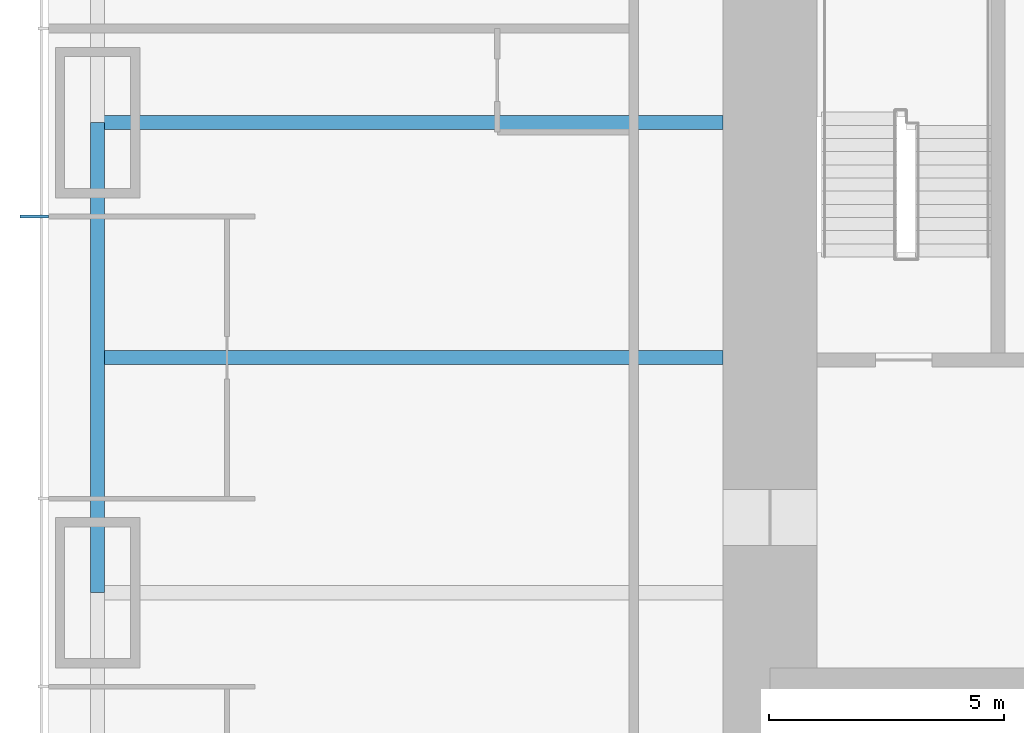
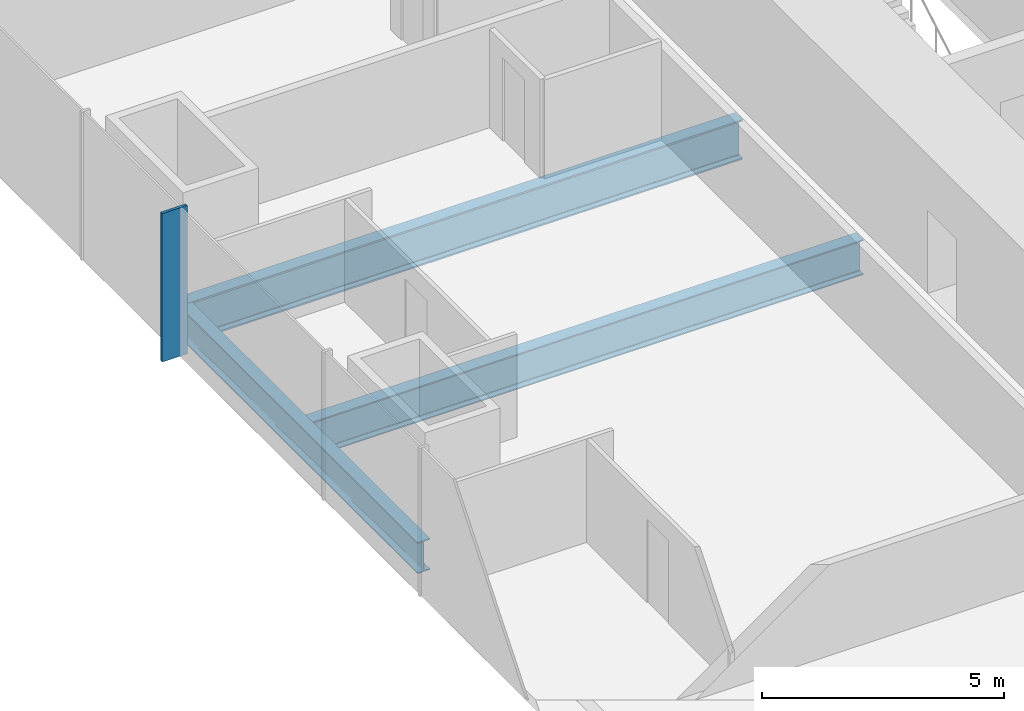
# One storey, part 3 of 17: 3 beams, 1 member, 1 element without a shape of its own.
"""IFC4 building model written with IfcOpenShell, lengths in metres."""

from ifc_helpers import new_model, si_unit, direction, frame, origin, origin_2d, place, context, subcontext, project, spatial, rectangle, i_section, extrude, material, material_profile, profile_set, type_object, element, aggregate, save


model = new_model("IFC4")

# Units and contexts
model_context = context("Model", 3, precision=1e-05, world=origin(), true_north=direction((0.0, 1.0)))
body_context = subcontext(model_context, "Body", "Model", "MODEL_VIEW")
ifc_project = project(units=[si_unit("LENGTHUNIT", "METRE"), si_unit("AREAUNIT", "SQUARE_METRE"), si_unit("VOLUMEUNIT", "CUBIC_METRE"), si_unit("PLANEANGLEUNIT", "RADIAN"), si_unit("MASSUNIT", "GRAM", prefix="KILO")], contexts=[model_context])

# Site, building, storey
site_placement = place(None, origin())
site = spatial("IfcSite", under=ifc_project, at=site_placement, CompositionType="ELEMENT")
building_placement = place(site_placement, origin())
building = spatial("IfcBuilding", under=site, at=building_placement, Name="Khuree Lantern Residences", CompositionType="ELEMENT")
storey_placement = place(building_placement, frame((0.0, 0.0, 92.25)))
storey = spatial("IfcBuildingStorey", under=building, at=storey_placement, Name="L23", CompositionType="ELEMENT", Elevation=92.25)

# Beams
ifc_material_1 = material(Name="Steel S355", Category="steel")
ifc_material_profile_1 = material_profile(ifc_material_1, i_section(OverallWidth=0.300048828125, OverallDepth=0.889892578125, WebThickness=0.01611328125, FlangeThickness=0.030029296875, FilletRadius=0.030029296875, at=origin_2d()), Name="HE 900 A")
ifc_profile_set_1 = profile_set([ifc_material_profile_1], Name="Steel S355")
beam_type_1 = type_object("IfcBeamType", Name="B-15 SECONDARY BEAM HE 900 A", PredefinedType="BEAM", material=ifc_profile_set_1)
beam_1_placement = place(storey_placement, frame((-29.800048828125, -5.0, -0.695068359375), z_axis=(1.0, 0.0, 0.0), x_axis=(0.0, 1.0, 0.0)))
element("IfcBeam", 1, at=beam_1_placement, inside=storey, type_object=beam_type_1, Name="Secondary beam W3", PredefinedType="BEAM", context=body_context, shape_type="SweptSolid", body=[
    extrude(i_section(OverallWidth=0.300048828125, OverallDepth=0.889892578125, WebThickness=0.01611328125, FlangeThickness=0.030029296875, FilletRadius=0.030029296875, at=origin_2d()), origin(), (0.0, 0.0, 1.0), 13.300048828125),
])
ifc_material_profile_2 = material_profile(ifc_material_1, i_section(OverallWidth=0.300048828125, OverallDepth=0.7900390625, WebThickness=0.014892578125, FlangeThickness=0.028076171875, FilletRadius=0.030029296875, at=origin_2d()), Name="HE 800 A")
ifc_profile_set_2 = profile_set([ifc_material_profile_2], Name="Steel S355")
beam_type_2 = type_object("IfcBeamType", Name="E-15 SPANDREL BEAM HE 800 A", PredefinedType="SPANDREL", material=ifc_profile_set_2)
beam_2_placement = place(storey_placement, frame((-29.800048828125, -10.0, -0.64501953125), z_axis=(0.0, 1.0, 0.0), x_axis=(-1.0, 0.0, 0.0)))
element("IfcBeam", 2, at=beam_2_placement, inside=storey, type_object=beam_type_2, Name="Spandrel beam W3", PredefinedType="SPANDREL", context=body_context, shape_type="SweptSolid", body=[
    extrude(i_section(OverallWidth=0.300048828125, OverallDepth=0.7900390625, WebThickness=0.014892578125, FlangeThickness=0.028076171875, FilletRadius=0.030029296875, at=origin_2d()), origin(), (0.0, 0.0, 1.0), 10.0),
])

# Curtain wall, member
ifc_material_2 = material(Name="Bronze anodised aluminium", Category="aluminium")
curtain_wall_type = type_object("IfcCurtainWallType", Name="CW-T1 TOWER FACE CURTAIN WALL", PredefinedType="USERDEFINED", material=ifc_material_2)
curtain_wall_placement = place(storey_placement, origin())
curtain_wall = element("IfcCurtainWall", 3, at=curtain_wall_placement, inside=storey, type_object=curtain_wall_type, Name="L23 WEST FACE CURTAIN WALL", ObjectType="Stick-built curtain wall", PredefinedType="USERDEFINED")
ifc_material_profile_3 = material_profile(ifc_material_2, rectangle(XDim=0.06494140625, YDim=0.60009765625, at=origin_2d()), Name="F1 65X600")
ifc_profile_set_3 = profile_set([ifc_material_profile_3], Name="Bronze anodised aluminium")
member_type = type_object("IfcMemberType", Name="F1 BRONZE FIN MULLION TOWER 65X600", PredefinedType="MULLION", material=ifc_profile_set_3)
member_placement = place(storey_placement, frame((-31.14990234375, -2.0, 0.0), z_axis=(0.0, 0.0, 1.0), x_axis=(0.0, -1.0, 0.0)))
member = element("IfcMember", 4, at=member_placement, type_object=member_type, Name="L23 WEST FACE FIN MULLION 38", PredefinedType="MULLION", context=body_context, shape_type="SweptSolid", body=[
    extrude(rectangle(XDim=0.06494140625, YDim=0.60009765625, at=origin_2d()), origin(), (0.0, 0.0, 1.0), 3.75),
])
aggregate(curtain_wall, [member])

# Beam
ifc_material_profile_4 = material_profile(ifc_material_1, i_section(OverallWidth=0.302001953125, OverallDepth=1.008056640625, WebThickness=0.02099609375, FlangeThickness=0.0400390625, FilletRadius=0.030029296875, at=origin_2d()), Name="HE 1000 M")
ifc_profile_set_4 = profile_set([ifc_material_profile_4], Name="Steel S355")
beam_type_3 = type_object("IfcBeamType", Name="G-15 GIRDER HE 1000 M", PredefinedType="BEAM", material=ifc_profile_set_4)
beam_3_placement = place(storey_placement, frame((-29.800048828125, 0.0, -0.75390625), z_axis=(1.0, 0.0, 0.0), x_axis=(0.0, 1.0, 0.0)))
element("IfcBeam", 5, at=beam_3_placement, inside=storey, type_object=beam_type_3, Name="Girder W3", PredefinedType="BEAM", context=body_context, shape_type="SweptSolid", body=[
    extrude(i_section(OverallWidth=0.302001953125, OverallDepth=1.008056640625, WebThickness=0.02099609375, FlangeThickness=0.0400390625, FilletRadius=0.030029296875, at=origin_2d()), origin(), (0.0, 0.0, 1.0), 13.300048828125),
])

save(model, "model.ifc")
